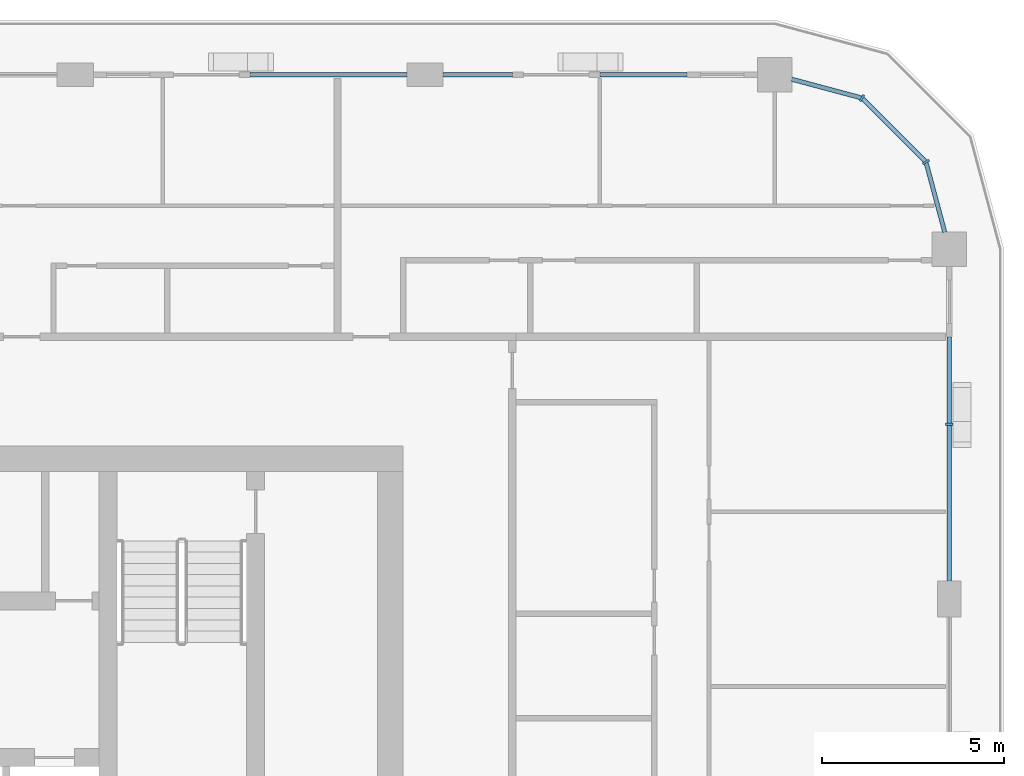
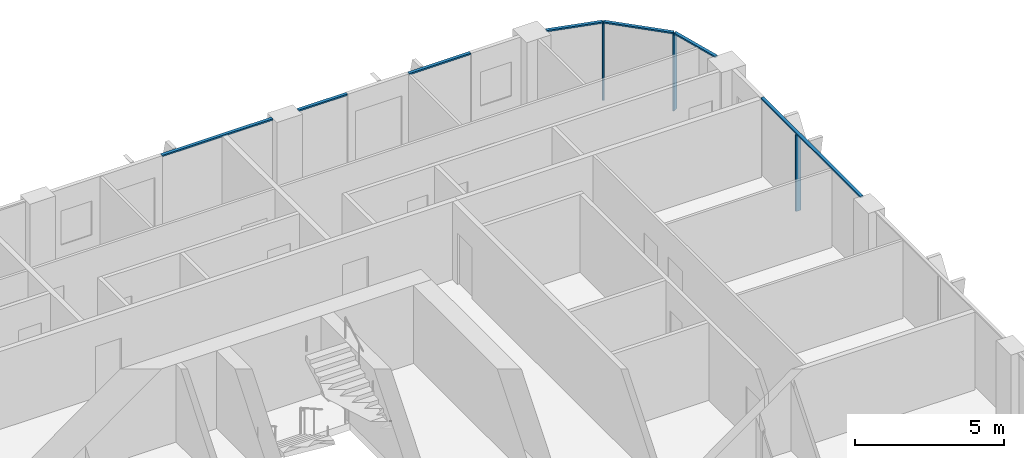
# One storey, part 6 of 22: 10 members, 4 elements without a shape of their own.
"""IFC4 building model written with IfcOpenShell, lengths in metres."""

from ifc_helpers import new_model, si_unit, direction, frame, origin, origin_2d, place, context, subcontext, project, spatial, rectangle, extrude, material, layer, layer_set, material_profile, profile_set, type_object, element, aggregate, save


model = new_model("IFC4")

# Units and contexts
model_context = context("Model", 3, precision=1e-05, world=origin(), true_north=direction((0.0, 1.0)))
body_context = subcontext(model_context, "Body", "Model", "MODEL_VIEW")
ifc_project = project(units=[si_unit("LENGTHUNIT", "METRE"), si_unit("AREAUNIT", "SQUARE_METRE"), si_unit("VOLUMEUNIT", "CUBIC_METRE"), si_unit("PLANEANGLEUNIT", "RADIAN"), si_unit("MASSUNIT", "GRAM", prefix="KILO")], contexts=[model_context])

# Site, building, storey
site_placement = place(None, origin())
site = spatial("IfcSite", under=ifc_project, at=site_placement, CompositionType="ELEMENT")
building_placement = place(site_placement, origin())
building = spatial("IfcBuilding", under=site, at=building_placement, Name="Madar Terraces", CompositionType="ELEMENT")
storey_placement = place(building_placement, frame((0.0, 0.0, 192.89990234375)))
storey = spatial("IfcBuildingStorey", under=building, at=storey_placement, Name="L50", CompositionType="ELEMENT", Elevation=192.89990234375)

# Curtain wall, member
ifc_material_1 = material(Name="Glass, ceramic frit dark grey, with black aluminium frame", Category="aluminium")
ifc_layer = layer(ifc_material_1, 0.199951171875)
ifc_layer_set = layer_set([ifc_layer], Name="Facade curtain wall, fritted glass")
curtain_wall_type = type_object("IfcCurtainWallType", Name="Facade curtain wall, fritted glass", PredefinedType="NOTDEFINED", material=ifc_layer_set)
curtain_wall_1_placement = place(storey_placement, origin())
curtain_wall_1 = element("IfcCurtainWall", 1, at=curtain_wall_1_placement, inside=storey, type_object=curtain_wall_type, Name="Outer skin curtain wall east bay 4", PredefinedType="NOTDEFINED")
ifc_material_2 = material(Name="Aluminium, black anodised", Category="aluminium")
ifc_material_profile_1 = material_profile(ifc_material_2, rectangle(XDim=0.199951171875, YDim=0.06005859375, at=origin_2d()), Name="Facade mullion 60x200")
ifc_profile_set_1 = profile_set([ifc_material_profile_1], Name="Aluminium, black anodised")
member_type_1 = type_object("IfcMemberType", Name="Facade mullion 60x200", PredefinedType="MULLION", material=ifc_profile_set_1)
member_1_placement = place(storey_placement, frame((62.39990234375, 38.39990234375, 0.0), z_axis=(0.0, 0.0, 1.0), x_axis=(-1.0, 0.0, 0.0)))
member_1 = element("IfcMember", 2, at=member_1_placement, type_object=member_type_1, Name="Mullion 1", PredefinedType="MULLION", context=body_context, shape_type="SweptSolid", body=[
    extrude(rectangle(XDim=0.199951171875, YDim=0.06005859375, at=origin_2d()), origin(), (0.0, 0.0, 1.0), 3.14013671875),
])

# Curtain wall, members
curtain_wall_2_placement = place(storey_placement, origin())
curtain_wall_2 = element("IfcCurtainWall", 3, at=curtain_wall_2_placement, inside=storey, type_object=curtain_wall_type, Name="Outer skin curtain wall north-east corner", PredefinedType="NOTDEFINED")
member_2_placement = place(storey_placement, frame((61.7568359375, 45.60009765625, 0.0), z_axis=(0.0, 0.0, 1.0), x_axis=(-0.866025409797, -0.499999989586, 0.0)))
member_2 = element("IfcMember", 4, at=member_2_placement, type_object=member_type_1, Name="Mullion 1", PredefinedType="MULLION", context=body_context, shape_type="SweptSolid", body=[
    extrude(rectangle(XDim=0.199951171875, YDim=0.06005859375, at=origin_2d()), origin(), (0.0, 0.0, 1.0), 3.14013671875),
])
member_3_placement = place(storey_placement, frame((60.0, 47.35693359375, 0.0), z_axis=(0.0, 0.0, 1.0), x_axis=(-0.499999989586, -0.866025409797, 0.0)))
member_3 = element("IfcMember", 5, at=member_3_placement, type_object=member_type_1, Name="Mullion 2", PredefinedType="MULLION", context=body_context, shape_type="SweptSolid", body=[
    extrude(rectangle(XDim=0.199951171875, YDim=0.06005859375, at=origin_2d()), origin(), (0.0, 0.0, 1.0), 3.14013671875),
])

# Member
ifc_material_3 = material(Name="Aluminium, black anodised", Category="aluminium")
ifc_material_profile_2 = material_profile(ifc_material_3, rectangle(XDim=0.1201171875, YDim=0.06005859375, at=origin_2d()), Name="Facade transom 60x120")
ifc_profile_set_2 = profile_set([ifc_material_profile_2], Name="Aluminium, black anodised")
member_type_2 = type_object("IfcMemberType", Name="Facade transom 60x120", PredefinedType="USERDEFINED", material=ifc_profile_set_2)
member_4_placement = place(storey_placement, frame((62.39990234375, 34.10009765625, 3.170166015625), z_axis=(0.0, 1.0, 0.0), x_axis=(-1.0, 0.0, 0.0)))
member_4 = element("IfcMember", 6, at=member_4_placement, type_object=member_type_2, Name="Transom 1", ObjectType="TRANSOM", PredefinedType="USERDEFINED", context=body_context, shape_type="SweptSolid", body=[
    extrude(rectangle(XDim=0.1201171875, YDim=0.06005859375, at=origin_2d()), origin(), (0.0, 0.0, 1.0), 6.699951171875),
])

aggregate(curtain_wall_1, [member_1, member_4])

# Curtain wall, members
curtain_wall_3_placement = place(storey_placement, origin())
curtain_wall_3 = element("IfcCurtainWall", 7, at=curtain_wall_3_placement, inside=storey, type_object=curtain_wall_type, Name="Outer skin curtain wall north bay 1", PredefinedType="NOTDEFINED")
member_5_placement = place(storey_placement, frame((55.199951171875, 48.0, 3.170166015625), z_axis=(-1.0, 0.0, 0.0), x_axis=(0.0, -1.0, 0.0)))
member_5 = element("IfcMember", 8, at=member_5_placement, type_object=member_type_2, Name="Transom 1", ObjectType="TRANSOM", PredefinedType="USERDEFINED", context=body_context, shape_type="SweptSolid", body=[
    extrude(rectangle(XDim=0.1201171875, YDim=0.06005859375, at=origin_2d()), origin(), (0.0, 0.0, 1.0), 2.39990234375),
])
member_6_placement = place(storey_placement, frame((50.39990234375, 48.0, 3.170166015625), z_axis=(-1.0, 0.0, 0.0), x_axis=(0.0, -1.0, 0.0)))
member_6 = element("IfcMember", 9, at=member_6_placement, type_object=member_type_2, Name="Transom 2", ObjectType="TRANSOM", PredefinedType="USERDEFINED", context=body_context, shape_type="SweptSolid", body=[
    extrude(rectangle(XDim=0.1201171875, YDim=0.06005859375, at=origin_2d()), origin(), (0.0, 0.0, 1.0), 1.89990234375),
])
aggregate(curtain_wall_3, [member_5, member_6])

# Curtain wall, member
curtain_wall_4_placement = place(storey_placement, origin())
curtain_wall_4 = element("IfcCurtainWall", 10, at=curtain_wall_4_placement, inside=storey, type_object=curtain_wall_type, Name="Outer skin curtain wall north bay 2", PredefinedType="NOTDEFINED")
member_7_placement = place(storey_placement, frame((47.5, 48.0, 3.170166015625), z_axis=(-1.0, 0.0, 0.0), x_axis=(0.0, -1.0, 0.0)))
member_7 = element("IfcMember", 11, at=member_7_placement, type_object=member_type_2, Name="Transom 1", ObjectType="TRANSOM", PredefinedType="USERDEFINED", context=body_context, shape_type="SweptSolid", body=[
    extrude(rectangle(XDim=0.1201171875, YDim=0.06005859375, at=origin_2d()), origin(), (0.0, 0.0, 1.0), 4.300048828125),
])
aggregate(curtain_wall_4, [member_7])

# Member
member_8_placement = place(storey_placement, frame((62.272705078125, 43.675048828125, 3.170166015625), z_axis=(-0.258831412352, 0.96592251241, 0.0), x_axis=(-0.96592251241, -0.258831412352, 0.0)))
member_8 = element("IfcMember", 12, at=member_8_placement, type_object=member_type_2, Name="Transom 1", ObjectType="TRANSOM", PredefinedType="USERDEFINED", context=body_context, shape_type="SweptSolid", body=[
    extrude(rectangle(XDim=0.1201171875, YDim=0.06005859375, at=origin_2d()), origin(), (0.0, 0.0, 1.0), 1.962890625),
])

member_9_placement = place(storey_placement, frame((61.735595703125, 45.62109375, 3.170166015625), z_axis=(-0.707056433593, 0.707157125196, 0.0), x_axis=(-0.707157125196, -0.707056433593, 0.0)))
member_9 = element("IfcMember", 13, at=member_9_placement, type_object=member_type_2, Name="Transom 2", ObjectType="TRANSOM", PredefinedType="USERDEFINED", context=body_context, shape_type="SweptSolid", body=[
    extrude(rectangle(XDim=0.1201171875, YDim=0.06005859375, at=origin_2d()), origin(), (0.0, 0.0, 1.0), 2.424560546875),
])

member_10_placement = place(storey_placement, frame((59.970947265625, 47.36474609375, 3.170166015625), z_axis=(-0.96592251241, 0.258831412352, 0.0), x_axis=(-0.258831412352, -0.96592251241, 0.0)))
member_10 = element("IfcMember", 14, at=member_10_placement, type_object=member_type_2, Name="Transom 3", ObjectType="TRANSOM", PredefinedType="USERDEFINED", context=body_context, shape_type="SweptSolid", body=[
    extrude(rectangle(XDim=0.1201171875, YDim=0.06005859375, at=origin_2d()), origin(), (0.0, 0.0, 1.0), 1.962890625),
])

aggregate(curtain_wall_2, [member_2, member_8, member_3, member_9, member_10])

save(model, "model.ifc")
